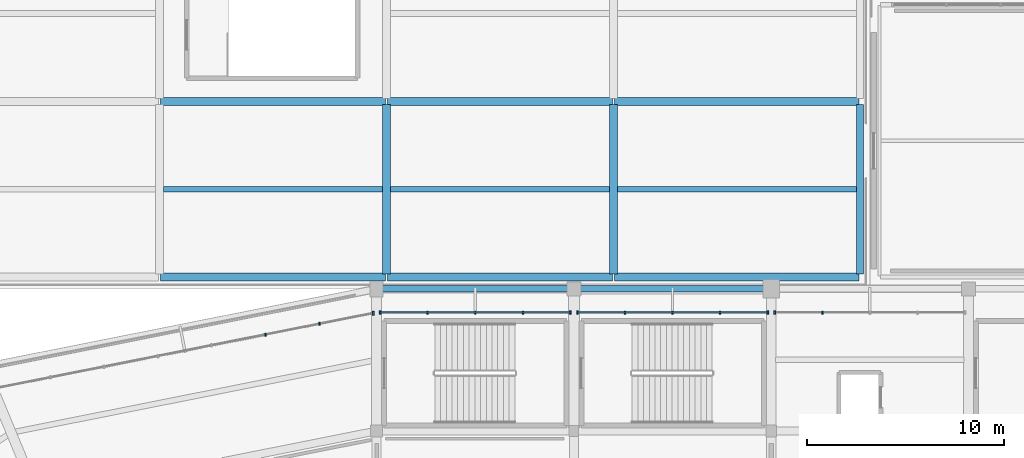
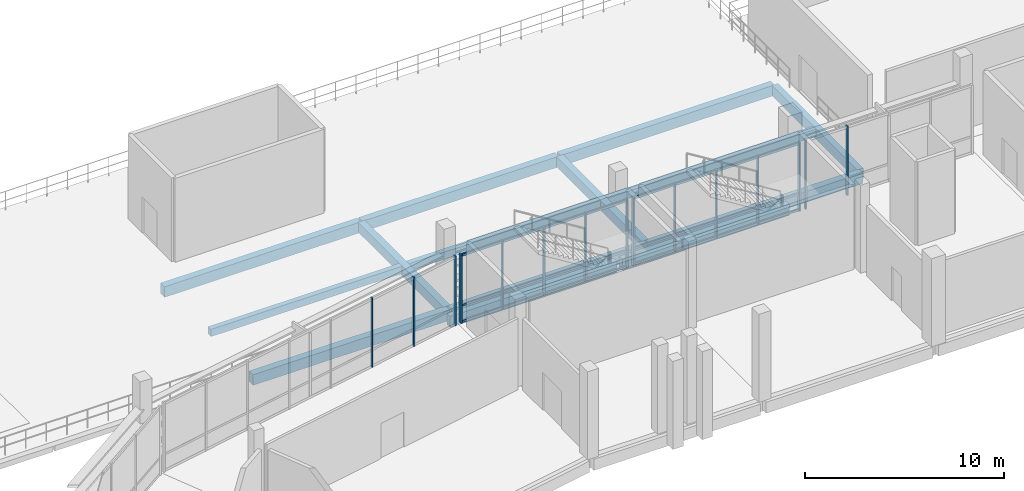
# One storey, part 49 of 111: 21 members, 14 beams, 4 elements without a shape of their own.
"""IFC4 building model written with IfcOpenShell, lengths in metres."""

import ifcopenshell
import ifcopenshell.guid

model = None  # the IFC model being written
_history = None  # IfcOwnerHistory: only IFC2X3 demands one
_inside = {}  # id of a spatial element -> (the spatial element, [elements in it])
_under = {}  # id of a project, library or spatial element -> (it, [spatial elements below it])
_declared = {}  # id of a project -> (the project, [libraries it declares])
_typed = {}  # id of a type object -> (the type object, [elements of that type])
_made_of = {}  # id of a material, layer set ... -> (it, [elements and type objects made of it])


def new_model(schema):
    """Start an empty IFC model of exactly this schema.

    Asked for "IFC4X3", IfcOpenShell would pick the latest addendum, in which some entities
    have other attributes; the version numbers below select the first issue.
    IFC2X3 requires an IfcOwnerHistory on every rooted entity: one is made here for all.
    """
    global model, _history
    if schema == "IFC4X3":
        model = ifcopenshell.file(schema_version=(4, 3, 0, 0))
    else:
        model = ifcopenshell.file(schema=schema)
    _inside.clear()
    _under.clear()
    _declared.clear()
    _typed.clear()
    _made_of.clear()
    _history = None
    if model.schema == "IFC2X3":
        org = make("IfcOrganization", Name="unknown")
        user = make(
            "IfcPersonAndOrganization",
            ThePerson=make("IfcPerson", FamilyName="unknown"),
            TheOrganization=org,
        )
        app = make(
            "IfcApplication",
            ApplicationDeveloper=org,
            Version="unknown",
            ApplicationFullName="unknown",
            ApplicationIdentifier="unknown",
        )
        _history = make(
            "IfcOwnerHistory",
            OwningUser=user,
            OwningApplication=app,
            ChangeAction="ADDED",
            CreationDate=0,
        )
    return model


def make(cls, **values):
    """One entity of the class cls with the attributes given. An attribute that is None is left unset."""
    return model.create_entity(
        cls, **{name: value for name, value in values.items() if value is not None}
    )


def rooted(cls, **values):
    """An entity with a GlobalId (a new one), such as an element, a storey or a relation."""
    return make(cls, GlobalId=ifcopenshell.guid.new(), OwnerHistory=_history, **values)


def si_unit(unit_type, name, prefix=None):
    """IfcSIUnit, for example si_unit("LENGTHUNIT", "METRE", prefix="MILLI")."""
    return make("IfcSIUnit", UnitType=unit_type, Prefix=prefix, Name=name)


def assignment(units):
    """IfcUnitAssignment: the units of a project."""
    return None if units is None else make("IfcUnitAssignment", Units=units)


def point(xyz):
    """IfcCartesianPoint."""
    return None if xyz is None else make("IfcCartesianPoint", Coordinates=xyz)


def direction(xyz):
    """IfcDirection."""
    return None if xyz is None else make("IfcDirection", DirectionRatios=xyz)


def frame(location, z_axis=None, x_axis=None):
    """IfcAxis2Placement3D, a coordinate frame: its origin and axes. An axis left out is left unset."""
    return make(
        "IfcAxis2Placement3D",
        Location=point(location),
        Axis=direction(z_axis),
        RefDirection=direction(x_axis),
    )


def frame_2d(location, x_axis=None):
    """IfcAxis2Placement2D, a coordinate frame in the plane: its origin and x axis."""
    return make(
        "IfcAxis2Placement2D", Location=point(location), RefDirection=direction(x_axis)
    )


def origin():
    """The frame at (0, 0, 0) with its axes left unset."""
    return frame((0.0, 0.0, 0.0))


def origin_2d():
    """The frame at (0, 0) in the plane with its x axis left unset."""
    return frame_2d((0.0, 0.0))


def place(relative_to, where):
    """IfcLocalPlacement: puts the frame where relative to a parent placement (None: the world)."""
    return make(
        "IfcLocalPlacement", PlacementRelTo=relative_to, RelativePlacement=where
    )


def context(
    kind, dimensions, precision=None, world=None, true_north=None, identifier=None
):
    """IfcGeometricRepresentationContext, for example the 3D "Model" context."""
    return make(
        "IfcGeometricRepresentationContext",
        ContextIdentifier=identifier,
        ContextType=kind,
        CoordinateSpaceDimension=dimensions,
        Precision=precision,
        WorldCoordinateSystem=world,
        TrueNorth=true_north,
    )


def subcontext(parent, identifier, kind, view, scale=None):
    """IfcGeometricRepresentationSubContext, for example "Body" below "Model"."""
    return make(
        "IfcGeometricRepresentationSubContext",
        ContextIdentifier=identifier,
        ContextType=kind,
        ParentContext=parent,
        TargetScale=scale,
        TargetView=view,
    )


def project(units=None, contexts=None):
    """IfcProject with its units and contexts."""
    return rooted(
        "IfcProject",
        Name="project",
        RepresentationContexts=contexts,
        UnitsInContext=assignment(units),
    )


def spatial(cls, under=None, at=None, **own):
    """A site, building, storey or space (cls), placed at a placement, below another one or the project."""
    s = rooted(cls, ObjectPlacement=at, **own)
    if under is not None:
        _under.setdefault(under.id(), (under, []))[1].append(s)
    return s


def profile(cls, at=None, kind="AREA", **sizes):
    """A parametric profile (cls). Its sizes go by their IFC names, for example OverallWidth=200.0."""
    return make(cls, ProfileType=kind, Position=at, **sizes)


def rectangle(**sizes):
    """IfcRectangleProfileDef."""
    return profile("IfcRectangleProfileDef", **sizes)


def extrude(swept, where, along, depth):
    """IfcExtrudedAreaSolid: the profile swept, set in the frame where, extruded along a direction by depth."""
    return make(
        "IfcExtrudedAreaSolid",
        SweptArea=swept,
        Position=where,
        ExtrudedDirection=direction(along),
        Depth=depth,
    )


def shape(context_of_items, identifier, shape_type, items):
    """IfcShapeRepresentation: the items that make up one representation, for example the "Body"."""
    return make(
        "IfcShapeRepresentation",
        ContextOfItems=context_of_items,
        RepresentationIdentifier=identifier,
        RepresentationType=shape_type,
        Items=items,
    )


def material(Name=None, Category=None):
    """IfcMaterial."""
    return make("IfcMaterial", Name=Name, Category=Category)


def material_profile(
    of_material, cross_section, Name=None, Category=None, Priority=None
):
    """IfcMaterialProfile: a cross section and its material."""
    return make(
        "IfcMaterialProfile",
        Name=Name,
        Material=of_material,
        Profile=cross_section,
        Priority=Priority,
        Category=Category,
    )


def profile_set(profiles, Name=None, composite=None):
    """IfcMaterialProfileSet."""
    return make(
        "IfcMaterialProfileSet",
        Name=Name,
        MaterialProfiles=profiles,
        CompositeProfile=composite,
    )


def made_of(thing, what):
    """Note that an element or type object is made of a material, layer set ...; save() writes the relation."""
    if what is not None:
        _made_of.setdefault(what.id(), (what, []))[1].append(thing)
    return thing


def type_object(cls, material=None, **own):
    """A type object (cls), such as IfcWallType, which elements share."""
    return made_of(rooted(cls, **own), material)


def element(
    cls,
    number,
    at=None,
    inside=None,
    cuts=None,
    type_object=None,
    material=None,
    context=None,
    identifier="Body",
    shape_type=None,
    held_by="IfcProductDefinitionShape",
    body=None,
    shapes=None,
    **own,
):
    """One element of the class cls, such as IfcWall. Its Tag is "e" and its number.

    at: its placement. inside: the storey or other place that contains it. cuts: it is an
    opening in that element (IfcRelVoidsElement). A single representation is given by context,
    identifier, shape_type and body (its items); several are given by shapes. held_by: the class
    of the entity that holds the representations. save() writes the other relations.
    """
    e = rooted(cls, Tag="e%d" % number, ObjectPlacement=at, **own)
    if body is not None:
        shapes = [shape(context, identifier, shape_type, body)]
    if shapes is not None:
        e.Representation = make(held_by, Representations=shapes)
    if inside is not None:
        _inside.setdefault(inside.id(), (inside, []))[1].append(e)
    if cuts is not None:
        rooted(
            "IfcRelVoidsElement", RelatingBuildingElement=cuts, RelatedOpeningElement=e
        )
    if type_object is not None:
        _typed.setdefault(type_object.id(), (type_object, []))[1].append(e)
    return made_of(e, material)


def aggregate(whole, parts):
    """IfcRelAggregates: a whole, such as a stair, and the parts it consists of."""
    return rooted("IfcRelAggregates", RelatingObject=whole, RelatedObjects=parts)


def save(model, path):
    """Write the relations noted so far, then the file.

    IfcRelAggregates (storeys below a building ...), IfcRelContainedInSpatialStructure (elements
    in a storey), IfcRelDefinesByType, IfcRelAssociatesMaterial and IfcRelDeclares: one each for
    every whole, place, type object, material and project.
    """
    for whole, parts in _under.values():
        aggregate(whole, parts)
    for where, things in _inside.values():
        rooted(
            "IfcRelContainedInSpatialStructure",
            RelatedElements=things,
            RelatingStructure=where,
        )
    for kind, things in _typed.values():
        rooted("IfcRelDefinesByType", RelatedObjects=things, RelatingType=kind)
    for what, things in _made_of.values():
        rooted("IfcRelAssociatesMaterial", RelatedObjects=things, RelatingMaterial=what)
    for by, libraries in _declared.values():
        rooted("IfcRelDeclares", RelatingContext=by, RelatedDefinitions=libraries)
    model.write(path)


model = new_model("IFC4")

# Units and contexts
model_context = context("Model", 3, precision=1e-05, world=origin(), true_north=direction((0.0, 1.0)))
body_context = subcontext(model_context, "Body", "Model", "MODEL_VIEW")
ifc_project = project(units=[si_unit("LENGTHUNIT", "METRE"), si_unit("AREAUNIT", "SQUARE_METRE"), si_unit("VOLUMEUNIT", "CUBIC_METRE"), si_unit("PLANEANGLEUNIT", "RADIAN"), si_unit("MASSUNIT", "GRAM", prefix="KILO")], contexts=[model_context])

# Site, building, storey
site_placement = place(None, origin())
site = spatial("IfcSite", under=ifc_project, at=site_placement, CompositionType="ELEMENT")
building_placement = place(site_placement, origin())
building = spatial("IfcBuilding", under=site, at=building_placement, Name="Candeia Ridge Stadium", CompositionType="ELEMENT")
storey_placement = place(building_placement, frame((0.0, 0.0, 16.199951171875)))
storey = spatial("IfcBuildingStorey", under=building, at=storey_placement, Name="L03", CompositionType="ELEMENT", Elevation=16.199951171875)

# Curtain wall, member
ifc_material_1 = material(Name="Aluminium Anodized Warm Bronze", Category="aluminium")
curtain_wall_type = type_object("IfcCurtainWallType", Name="Concourse Recessed Unitised Curtain Wall", PredefinedType="NOTDEFINED", material=ifc_material_1)
curtain_wall_1_placement = place(storey_placement, origin())
curtain_wall_1 = element("IfcCurtainWall", 1, at=curtain_wall_1_placement, inside=storey, type_object=curtain_wall_type, Name="Unitised curtain wall CW-BWL-L03-04", PredefinedType="NOTDEFINED")
ifc_material_profile_1 = material_profile(ifc_material_1, rectangle(XDim=0.090087890625, YDim=0.179931640625, at=origin_2d()), Name="CWM-90x180", Category="aluminium")
ifc_profile_set_1 = profile_set([ifc_material_profile_1], Name="Aluminium Anodized Warm Bronze")
member_type_1 = type_object("IfcMemberType", Name="Curtain Wall Primary Mullion 90x180", PredefinedType="MULLION", material=ifc_profile_set_1)
member_1_placement = place(storey_placement, frame((91.179931640625, 145.800048828125, 0.0), z_axis=(0.0, 0.0, 1.0), x_axis=(1.0, 0.0, 0.0)))
member_1 = element("IfcMember", 2, at=member_1_placement, type_object=member_type_1, Name="Curtain wall mullion CW-BWL-L03-04-M4", PredefinedType="MULLION", context=body_context, shape_type="SweptSolid", body=[
    extrude(rectangle(XDim=0.090087890625, YDim=0.179931640625, at=origin_2d()), origin(), (0.0, 0.0, 1.0), 4.2451171875),
])

# Curtain wall, members
curtain_wall_2_placement = place(storey_placement, origin())
curtain_wall_2 = element("IfcCurtainWall", 3, at=curtain_wall_2_placement, inside=storey, type_object=curtain_wall_type, Name="Unitised curtain wall CW-BWL-L03-05", PredefinedType="NOTDEFINED")
member_2_placement = place(storey_placement, frame((90.820068359375, 145.800048828125, 0.0), z_axis=(0.0, 0.0, 1.0), x_axis=(1.0, 0.0, 0.0)))
member_2 = element("IfcMember", 4, at=member_2_placement, type_object=member_type_1, Name="Curtain wall mullion CW-BWL-L03-05-M0", PredefinedType="MULLION", context=body_context, shape_type="SweptSolid", body=[
    extrude(rectangle(XDim=0.090087890625, YDim=0.179931640625, at=origin_2d()), origin(), (0.0, 0.0, 1.0), 4.205078125),
])
member_3_placement = place(storey_placement, frame((81.179931640625, 145.800048828125, 0.0), z_axis=(0.0, 0.0, 1.0), x_axis=(1.0, 0.0, 0.0)))
member_3 = element("IfcMember", 5, at=member_3_placement, type_object=member_type_1, Name="Curtain wall mullion CW-BWL-L03-05-M4", PredefinedType="MULLION", context=body_context, shape_type="SweptSolid", body=[
    extrude(rectangle(XDim=0.090087890625, YDim=0.179931640625, at=origin_2d()), origin(), (0.0, 0.0, 1.0), 4.205078125),
])

curtain_wall_3_placement = place(storey_placement, origin())
curtain_wall_3 = element("IfcCurtainWall", 6, at=curtain_wall_3_placement, inside=storey, type_object=curtain_wall_type, Name="Unitised curtain wall CW-BWL-L03-06", PredefinedType="NOTDEFINED")
member_4_placement = place(storey_placement, frame((80.820068359375, 145.800048828125, 0.0), z_axis=(0.0, 0.0, 1.0), x_axis=(1.0, 0.0, 0.0)))
member_4 = element("IfcMember", 7, at=member_4_placement, type_object=member_type_1, Name="Curtain wall mullion CW-BWL-L03-06-M0", PredefinedType="MULLION", context=body_context, shape_type="SweptSolid", body=[
    extrude(rectangle(XDim=0.090087890625, YDim=0.179931640625, at=origin_2d()), origin(), (0.0, 0.0, 1.0), 4.205078125),
])
member_5_placement = place(storey_placement, frame((71.179931640625, 145.800048828125, 0.0), z_axis=(0.0, 0.0, 1.0), x_axis=(1.0, 0.0, 0.0)))
member_5 = element("IfcMember", 8, at=member_5_placement, type_object=member_type_1, Name="Curtain wall mullion CW-BWL-L03-06-M4", PredefinedType="MULLION", context=body_context, shape_type="SweptSolid", body=[
    extrude(rectangle(XDim=0.090087890625, YDim=0.179931640625, at=origin_2d()), origin(), (0.0, 0.0, 1.0), 4.205078125),
])

# Curtain wall, member
curtain_wall_4_placement = place(storey_placement, origin())
curtain_wall_4 = element("IfcCurtainWall", 9, at=curtain_wall_4_placement, inside=storey, type_object=curtain_wall_type, Name="Unitised curtain wall CW-BWL-L03-07", PredefinedType="NOTDEFINED")
member_6_placement = place(storey_placement, frame((70.823486328125, 145.764892578125, 0.0), z_axis=(0.0, 0.0, 1.0), x_axis=(1.0, 0.0, 0.0)))
member_6 = element("IfcMember", 10, at=member_6_placement, type_object=member_type_1, Name="Curtain wall mullion CW-BWL-L03-07-M0", PredefinedType="MULLION", context=body_context, shape_type="SweptSolid", body=[
    extrude(rectangle(XDim=0.090087890625, YDim=0.179931640625, at=origin_2d()), origin(), (0.0, 0.0, 1.0), 4.2451171875),
])

# Member
ifc_material_profile_2 = material_profile(ifc_material_1, rectangle(XDim=0.074951171875, YDim=0.14990234375, at=origin_2d()), Name="CWM-75x150", Category="aluminium")
ifc_profile_set_2 = profile_set([ifc_material_profile_2], Name="Aluminium Anodized Warm Bronze")
member_type_2 = type_object("IfcMemberType", Name="Curtain Wall Secondary Mullion 75x150", PredefinedType="MULLION", material=ifc_profile_set_2)
member_7_placement = place(storey_placement, frame((93.590087890625, 145.800048828125, 0.0), z_axis=(0.0, 0.0, 1.0), x_axis=(1.0, 0.0, 0.0)))
member_7 = element("IfcMember", 11, at=member_7_placement, type_object=member_type_2, Name="Curtain wall mullion CW-BWL-L03-04-M3", PredefinedType="MULLION", context=body_context, shape_type="SweptSolid", body=[
    extrude(rectangle(XDim=0.074951171875, YDim=0.14990234375, at=origin_2d()), origin(), (0.0, 0.0, 1.0), 4.2451171875),
])

aggregate(curtain_wall_1, [member_7, member_1])

member_8_placement = place(storey_placement, frame((88.409912109375, 145.800048828125, 0.0), z_axis=(0.0, 0.0, 1.0), x_axis=(1.0, 0.0, 0.0)))
member_8 = element("IfcMember", 12, at=member_8_placement, type_object=member_type_2, Name="Curtain wall mullion CW-BWL-L03-05-M1", PredefinedType="MULLION", context=body_context, shape_type="SweptSolid", body=[
    extrude(rectangle(XDim=0.074951171875, YDim=0.14990234375, at=origin_2d()), origin(), (0.0, 0.0, 1.0), 4.205078125),
])

member_9_placement = place(storey_placement, frame((86.0, 145.800048828125, 0.0), z_axis=(0.0, 0.0, 1.0), x_axis=(1.0, 0.0, 0.0)))
member_9 = element("IfcMember", 13, at=member_9_placement, type_object=member_type_2, Name="Curtain wall mullion CW-BWL-L03-05-M2", PredefinedType="MULLION", context=body_context, shape_type="SweptSolid", body=[
    extrude(rectangle(XDim=0.074951171875, YDim=0.14990234375, at=origin_2d()), origin(), (0.0, 0.0, 1.0), 4.205078125),
])

member_10_placement = place(storey_placement, frame((83.590087890625, 145.800048828125, 0.0), z_axis=(0.0, 0.0, 1.0), x_axis=(1.0, 0.0, 0.0)))
member_10 = element("IfcMember", 14, at=member_10_placement, type_object=member_type_2, Name="Curtain wall mullion CW-BWL-L03-05-M3", PredefinedType="MULLION", context=body_context, shape_type="SweptSolid", body=[
    extrude(rectangle(XDim=0.074951171875, YDim=0.14990234375, at=origin_2d()), origin(), (0.0, 0.0, 1.0), 4.205078125),
])

member_11_placement = place(storey_placement, frame((78.409912109375, 145.800048828125, 0.0), z_axis=(0.0, 0.0, 1.0), x_axis=(1.0, 0.0, 0.0)))
member_11 = element("IfcMember", 15, at=member_11_placement, type_object=member_type_2, Name="Curtain wall mullion CW-BWL-L03-06-M1", PredefinedType="MULLION", context=body_context, shape_type="SweptSolid", body=[
    extrude(rectangle(XDim=0.074951171875, YDim=0.14990234375, at=origin_2d()), origin(), (0.0, 0.0, 1.0), 4.205078125),
])

member_12_placement = place(storey_placement, frame((76.0, 145.800048828125, 0.0), z_axis=(0.0, 0.0, 1.0), x_axis=(1.0, 0.0, 0.0)))
member_12 = element("IfcMember", 16, at=member_12_placement, type_object=member_type_2, Name="Curtain wall mullion CW-BWL-L03-06-M2", PredefinedType="MULLION", context=body_context, shape_type="SweptSolid", body=[
    extrude(rectangle(XDim=0.074951171875, YDim=0.14990234375, at=origin_2d()), origin(), (0.0, 0.0, 1.0), 4.205078125),
])

member_13_placement = place(storey_placement, frame((73.590087890625, 145.800048828125, 0.0), z_axis=(0.0, 0.0, 1.0), x_axis=(1.0, 0.0, 0.0)))
member_13 = element("IfcMember", 17, at=member_13_placement, type_object=member_type_2, Name="Curtain wall mullion CW-BWL-L03-06-M3", PredefinedType="MULLION", context=body_context, shape_type="SweptSolid", body=[
    extrude(rectangle(XDim=0.074951171875, YDim=0.14990234375, at=origin_2d()), origin(), (0.0, 0.0, 1.0), 4.205078125),
])

member_14_placement = place(storey_placement, frame((68.0966796875, 145.222412109375, 0.0), z_axis=(0.0, 0.0, 1.0), x_axis=(1.0, 0.0, 0.0)))
member_14 = element("IfcMember", 18, at=member_14_placement, type_object=member_type_2, Name="Curtain wall mullion CW-BWL-L03-07-M1", PredefinedType="MULLION", context=body_context, shape_type="SweptSolid", body=[
    extrude(rectangle(XDim=0.074951171875, YDim=0.14990234375, at=origin_2d()), origin(), (0.0, 0.0, 1.0), 4.2451171875),
])

member_15_placement = place(storey_placement, frame((65.3701171875, 144.68017578125, 0.0), z_axis=(0.0, 0.0, 1.0), x_axis=(1.0, 0.0, 0.0)))
member_15 = element("IfcMember", 19, at=member_15_placement, type_object=member_type_2, Name="Curtain wall mullion CW-BWL-L03-07-M2", PredefinedType="MULLION", context=body_context, shape_type="SweptSolid", body=[
    extrude(rectangle(XDim=0.074951171875, YDim=0.14990234375, at=origin_2d()), origin(), (0.0, 0.0, 1.0), 4.2451171875),
])

aggregate(curtain_wall_4, [member_6, member_14, member_15])

ifc_material_profile_3 = material_profile(ifc_material_1, rectangle(XDim=0.074951171875, YDim=0.110107421875, at=origin_2d()), Name="CWT-75x110", Category="aluminium")
ifc_profile_set_3 = profile_set([ifc_material_profile_3], Name="Aluminium Anodized Warm Bronze")
member_type_3 = type_object("IfcMemberType", Name="Curtain Wall Secondary Transom 75x110", PredefinedType="USERDEFINED", material=ifc_profile_set_3)
member_16_placement = place(storey_placement, frame((90.820068359375, 145.800048828125, 1.05126953125), z_axis=(-1.0, 0.0, 0.0), x_axis=(0.0, -1.0, 0.0)))
member_16 = element("IfcMember", 20, at=member_16_placement, type_object=member_type_3, Name="Curtain wall transom CW-BWL-L03-05-T1", ObjectType="TRANSOM", PredefinedType="USERDEFINED", context=body_context, shape_type="SweptSolid", body=[
    extrude(rectangle(XDim=0.074951171875, YDim=0.110107421875, at=origin_2d()), origin(), (0.0, 0.0, 1.0), 9.64013671875),
])

member_17_placement = place(storey_placement, frame((80.820068359375, 145.800048828125, 1.05126953125), z_axis=(-1.0, 0.0, 0.0), x_axis=(0.0, -1.0, 0.0)))
member_17 = element("IfcMember", 21, at=member_17_placement, type_object=member_type_3, Name="Curtain wall transom CW-BWL-L03-06-T1", ObjectType="TRANSOM", PredefinedType="USERDEFINED", context=body_context, shape_type="SweptSolid", body=[
    extrude(rectangle(XDim=0.074951171875, YDim=0.110107421875, at=origin_2d()), origin(), (0.0, 0.0, 1.0), 9.64013671875),
])

ifc_material_profile_4 = material_profile(ifc_material_1, rectangle(XDim=0.090087890625, YDim=0.139892578125, at=origin_2d()), Name="CWT-90x140", Category="aluminium")
ifc_profile_set_4 = profile_set([ifc_material_profile_4], Name="Aluminium Anodized Warm Bronze")
member_type_4 = type_object("IfcMemberType", Name="Curtain Wall Transom 90x140", PredefinedType="USERDEFINED", material=ifc_profile_set_4)
member_18_placement = place(storey_placement, frame((90.820068359375, 145.800048828125, 0.070068359375), z_axis=(-1.0, 0.0, 0.0), x_axis=(0.0, -1.0, 0.0)))
member_18 = element("IfcMember", 22, at=member_18_placement, type_object=member_type_4, Name="Curtain wall transom CW-BWL-L03-05-T0", ObjectType="TRANSOM", PredefinedType="USERDEFINED", context=body_context, shape_type="SweptSolid", body=[
    extrude(rectangle(XDim=0.090087890625, YDim=0.139892578125, at=origin_2d()), origin(), (0.0, 0.0, 1.0), 9.64013671875),
])

member_19_placement = place(storey_placement, frame((90.820068359375, 145.800048828125, 4.135009765625), z_axis=(-1.0, 0.0, 0.0), x_axis=(0.0, -1.0, 0.0)))
member_19 = element("IfcMember", 23, at=member_19_placement, type_object=member_type_4, Name="Curtain wall transom CW-BWL-L03-05-T2", ObjectType="TRANSOM", PredefinedType="USERDEFINED", context=body_context, shape_type="SweptSolid", body=[
    extrude(rectangle(XDim=0.090087890625, YDim=0.139892578125, at=origin_2d()), origin(), (0.0, 0.0, 1.0), 9.64013671875),
])

aggregate(curtain_wall_2, [member_2, member_8, member_9, member_10, member_3, member_18, member_16, member_19])

member_20_placement = place(storey_placement, frame((80.820068359375, 145.800048828125, 0.070068359375), z_axis=(-1.0, 0.0, 0.0), x_axis=(0.0, -1.0, 0.0)))
member_20 = element("IfcMember", 24, at=member_20_placement, type_object=member_type_4, Name="Curtain wall transom CW-BWL-L03-06-T0", ObjectType="TRANSOM", PredefinedType="USERDEFINED", context=body_context, shape_type="SweptSolid", body=[
    extrude(rectangle(XDim=0.090087890625, YDim=0.139892578125, at=origin_2d()), origin(), (0.0, 0.0, 1.0), 9.64013671875),
])

member_21_placement = place(storey_placement, frame((80.820068359375, 145.800048828125, 4.135009765625), z_axis=(-1.0, 0.0, 0.0), x_axis=(0.0, -1.0, 0.0)))
member_21 = element("IfcMember", 25, at=member_21_placement, type_object=member_type_4, Name="Curtain wall transom CW-BWL-L03-06-T2", ObjectType="TRANSOM", PredefinedType="USERDEFINED", context=body_context, shape_type="SweptSolid", body=[
    extrude(rectangle(XDim=0.090087890625, YDim=0.139892578125, at=origin_2d()), origin(), (0.0, 0.0, 1.0), 9.64013671875),
])

aggregate(curtain_wall_3, [member_4, member_11, member_12, member_13, member_5, member_20, member_17, member_21])

# Beams
ifc_material_2 = material(Name="Concrete C40/50", Category="concrete")
ifc_material_profile_5 = material_profile(ifc_material_2, rectangle(XDim=0.300048828125, YDim=0.449951171875, at=origin_2d()), Name="RC300x450", Category="concrete")
ifc_profile_set_5 = profile_set([ifc_material_profile_5], Name="Concrete C40/50")
beam_type_1 = type_object("IfcBeamType", Name="Floor Joist RC300x450", PredefinedType="JOIST", material=ifc_profile_set_5)
for number, where, z_axis, x_axis, name in (
    (26, (60.199462890625, 152.050048828125, -0.5048828125), (1.0, 0.0, 0.0), (0.0, 1.0, 0.0), "Wing secondary joist BM-L03-1881"),
    (27, (71.699462890625, 152.050048828125, -0.5048828125), (1.0, 0.0, 0.0), (0.0, 1.0, 0.0), "Wing secondary joist BM-L03-1885"),
):
    element("IfcBeam", number, at=place(storey_placement, frame(where, z_axis=z_axis, x_axis=x_axis)), inside=storey, type_object=beam_type_1, Name=name, PredefinedType="JOIST", context=body_context, shape_type="SweptSolid", body=[
        extrude(rectangle(XDim=0.300048828125, YDim=0.449951171875, at=origin_2d()), origin(), (0.0, 0.0, 1.0), 11.10107421875),
    ])
beam_1_placement = place(storey_placement, frame((83.199462890625, 152.050048828125, -0.5048828125), z_axis=(1.0, 0.0, 0.0), x_axis=(0.0, 1.0, 0.0)))
element("IfcBeam", 28, at=beam_1_placement, inside=storey, type_object=beam_type_1, Name="Wing secondary joist BM-L03-1890", PredefinedType="JOIST", context=body_context, shape_type="SweptSolid", body=[
    extrude(rectangle(XDim=0.300048828125, YDim=0.449951171875, at=origin_2d()), origin(), (0.0, 0.0, 1.0), 12.1259765625),
])
ifc_material_profile_6 = material_profile(ifc_material_2, rectangle(XDim=0.39990234375, YDim=0.60009765625, at=origin_2d()), Name="RC400x600", Category="concrete")
ifc_profile_set_6 = profile_set([ifc_material_profile_6], Name="Concrete C40/50")
beam_type_2 = type_object("IfcBeamType", Name="Frame Girder RC400x600", PredefinedType="BEAM", material=ifc_profile_set_6)
for number, where, z_axis, x_axis, name in (
    (29, (71.5, 147.760009765625, -0.579833984375), (0.0, 1.0, 0.0), (-1.0, 0.0, 0.0), "Structural girder BM-L03-1860"),
    (30, (83.0, 147.760009765625, -0.579833984375), (0.0, 1.0, 0.0), (-1.0, 0.0, 0.0), "Structural girder BM-L03-1862"),
):
    element("IfcBeam", number, at=place(storey_placement, frame(where, z_axis=z_axis, x_axis=x_axis)), inside=storey, type_object=beam_type_2, Name=name, PredefinedType="BEAM", context=body_context, shape_type="SweptSolid", body=[
        extrude(rectangle(XDim=0.39990234375, YDim=0.60009765625, at=origin_2d()), origin(), (0.0, 0.0, 1.0), 8.580078125),
    ])
ifc_material_profile_7 = material_profile(ifc_material_2, rectangle(XDim=0.340087890625, YDim=0.679931640625, at=origin_2d()), Name="RC340x680", Category="concrete")
ifc_profile_set_7 = profile_set([ifc_material_profile_7], Name="Concrete C40/50")
beam_type_3 = type_object("IfcBeamType", Name="Spandrel Beam RC340x680", PredefinedType="SPANDREL", material=ifc_profile_set_7)
for number, where, z_axis, x_axis, name in (
    (31, (90.840087890625, 147.0, -0.58984375), (-1.0, 0.0, 0.0), (0.0, -1.0, 0.0), "Bowl perimeter spandrel BM-L03-0577"),
    (32, (80.840087890625, 147.0, -0.58984375), (-1.0, 0.0, 0.0), (0.0, -1.0, 0.0), "Bowl perimeter spandrel BM-L03-0581"),
):
    element("IfcBeam", number, at=place(storey_placement, frame(where, z_axis=z_axis, x_axis=x_axis)), inside=storey, type_object=beam_type_3, Name=name, PredefinedType="SPANDREL", context=body_context, shape_type="SweptSolid", body=[
        extrude(rectangle(XDim=0.340087890625, YDim=0.679931640625, at=origin_2d()), origin(), (0.0, 0.0, 1.0), 9.68017578125),
    ])
ifc_material_profile_8 = material_profile(ifc_material_2, rectangle(XDim=0.35009765625, YDim=0.64990234375, at=origin_2d()), Name="RC350x650", Category="concrete")
ifc_profile_set_8 = profile_set([ifc_material_profile_8], Name="Concrete C40/50")
beam_type_4 = type_object("IfcBeamType", Name="Spandrel Beam RC350x650", PredefinedType="SPANDREL", material=ifc_profile_set_8)
beam_2_placement = place(storey_placement, frame((95.5, 147.760009765625, -0.60498046875), z_axis=(0.0, 1.0, 0.0), x_axis=(-1.0, 0.0, 0.0)))
element("IfcBeam", 33, at=beam_2_placement, inside=storey, type_object=beam_type_4, Name="Structural girder BM-L03-1864", PredefinedType="SPANDREL", context=body_context, shape_type="SweptSolid", body=[
    extrude(rectangle(XDim=0.35009765625, YDim=0.64990234375, at=origin_2d()), origin(), (0.0, 0.0, 1.0), 8.580078125),
])
ifc_material_profile_9 = material_profile(ifc_material_2, rectangle(XDim=0.39990234375, YDim=0.64990234375, at=origin_2d()), Name="RC400x650", Category="concrete")
ifc_profile_set_9 = profile_set([ifc_material_profile_9], Name="Concrete C40/50")
beam_type_5 = type_object("IfcBeamType", Name="Wing Primary Girder RC400x650", PredefinedType="BEAM", material=ifc_profile_set_9)
for number, where, z_axis, x_axis, name in (
    (34, (60.050048828125, 147.60009765625, -0.60498046875), (1.0, 0.0, 0.0), (0.0, 1.0, 0.0), "Structural girder BM-L03-1880"),
    (35, (60.050048828125, 156.5, -0.60498046875), (1.0, 0.0, 0.0), (0.0, 1.0, 0.0), "Structural girder BM-L03-1882"),
    (36, (71.550048828125, 147.60009765625, -0.60498046875), (1.0, 0.0, 0.0), (0.0, 1.0, 0.0), "Structural girder BM-L03-1884"),
    (37, (71.550048828125, 156.5, -0.60498046875), (1.0, 0.0, 0.0), (0.0, 1.0, 0.0), "Structural girder BM-L03-1886"),
):
    element("IfcBeam", number, at=place(storey_placement, frame(where, z_axis=z_axis, x_axis=x_axis)), inside=storey, type_object=beam_type_5, Name=name, PredefinedType="BEAM", context=body_context, shape_type="SweptSolid", body=[
        extrude(rectangle(XDim=0.39990234375, YDim=0.64990234375, at=origin_2d()), origin(), (0.0, 0.0, 1.0), 11.39990234375),
    ])
for number, where, z_axis, x_axis, name in (
    (38, (83.050048828125, 147.60009765625, -0.60498046875), (1.0, 0.0, 0.0), (0.0, 1.0, 0.0), "Structural girder BM-L03-1889"),
    (39, (83.050048828125, 156.5, -0.60498046875), (1.0, 0.0, 0.0), (0.0, 1.0, 0.0), "Structural girder BM-L03-1891"),
):
    element("IfcBeam", number, at=place(storey_placement, frame(where, z_axis=z_axis, x_axis=x_axis)), inside=storey, type_object=beam_type_5, Name=name, PredefinedType="BEAM", context=body_context, shape_type="SweptSolid", body=[
        extrude(rectangle(XDim=0.39990234375, YDim=0.64990234375, at=origin_2d()), origin(), (0.0, 0.0, 1.0), 12.39990234375),
    ])

save(model, "model.ifc")
